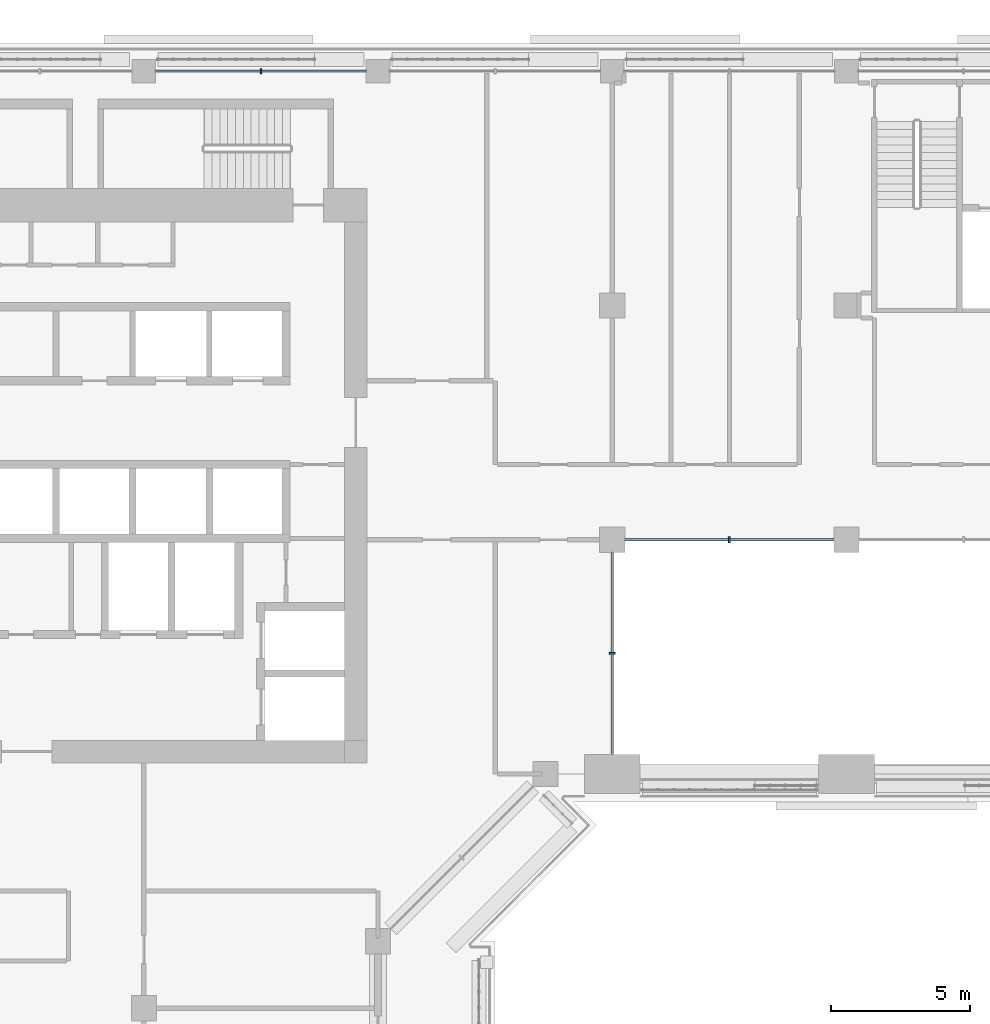
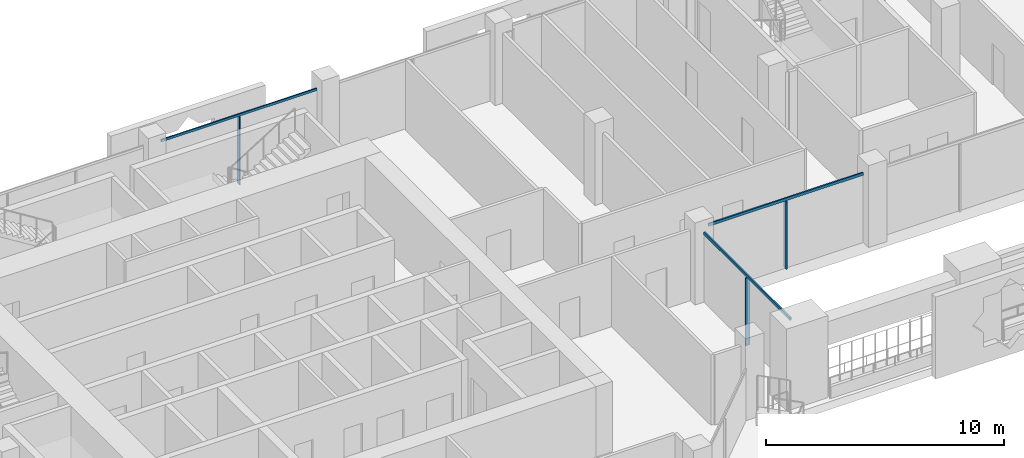
# One storey, part 7 of 23: 6 members, 3 elements without a shape of their own.
"""IFC4 building model written with IfcOpenShell, lengths in metres."""

from ifc_helpers import new_model, si_unit, direction, frame, origin, origin_2d, place, context, subcontext, project, spatial, rectangle, extrude, material, layer, layer_set, material_profile, profile_set, type_object, element, aggregate, save


model = new_model("IFC4")

# Units and contexts
model_context = context("Model", 3, precision=1e-05, world=origin(), true_north=direction((0.0, 1.0)))
body_context = subcontext(model_context, "Body", "Model", "MODEL_VIEW")
ifc_project = project(units=[si_unit("LENGTHUNIT", "METRE"), si_unit("AREAUNIT", "SQUARE_METRE"), si_unit("VOLUMEUNIT", "CUBIC_METRE"), si_unit("PLANEANGLEUNIT", "RADIAN"), si_unit("MASSUNIT", "GRAM", prefix="KILO")], contexts=[model_context])

# Site, building, storey
site_placement = place(None, origin())
site = spatial("IfcSite", under=ifc_project, at=site_placement, CompositionType="ELEMENT")
building_placement = place(site_placement, origin())
building = spatial("IfcBuilding", under=site, at=building_placement, Name="Kawkab Arch Medical Tower", CompositionType="ELEMENT")
storey_placement = place(building_placement, frame((0.0, 0.0, 222.199951171875)))
storey = spatial("IfcBuildingStorey", under=building, at=storey_placement, Name="L51", CompositionType="ELEMENT", Elevation=222.199951171875)

# Curtain wall, members
ifc_material_1 = material(Name="Bronze anodised aluminium curtain wall frame", Category="aluminium")
ifc_layer_1 = layer(ifc_material_1, 0.159912109375)
ifc_layer_set_1 = layer_set([ifc_layer_1], Name="Bronze anodised aluminium curtain wall frame")
curtain_wall_type_1 = type_object("IfcCurtainWallType", Name="CW1 ward curtain wall", PredefinedType="NOTDEFINED", material=ifc_layer_set_1)
placement = place(storey_placement, origin())
curtain_wall_1 = element("IfcCurtainWall", 1, at=placement, inside=storey, type_object=curtain_wall_type_1, Name="CW1 Ward curtain wall R09", PredefinedType="NOTDEFINED")
ifc_material_2 = material(Name="Bronze anodised aluminium curtain wall frame", Category="aluminium")
ifc_material_profile_1 = material_profile(ifc_material_2, rectangle(XDim=0.179931640625, YDim=0.06005859375, at=origin_2d()), Name="AL 60x180")
ifc_profile_set_1 = profile_set([ifc_material_profile_1], Name="Bronze anodised aluminium curtain wall frame")
member_type_1 = type_object("IfcMemberType", Name="CW1 mullion 60 x 180", PredefinedType="MULLION", material=ifc_profile_set_1)
member_1_placement = place(storey_placement, frame((21.0, 0.0, 0.0), z_axis=(0.0, 0.0, 1.0), x_axis=(0.0, -1.0, 0.0)))
member_1 = element("IfcMember", 2, at=member_1_placement, type_object=member_type_1, Name="CW1 mullion 5.1", PredefinedType="MULLION", context=body_context, shape_type="SweptSolid", body=[
    extrude(rectangle(XDim=0.179931640625, YDim=0.06005859375, at=origin_2d()), origin(), (0.0, 0.0, 1.0), 3.47998046875),
])
ifc_material_3 = material(Name="Bronze anodised aluminium curtain wall frame", Category="aluminium")
ifc_material_profile_2 = material_profile(ifc_material_3, rectangle(XDim=0.06005859375, YDim=0.1201171875, at=origin_2d()), Name="AL 60x120")
ifc_profile_set_2 = profile_set([ifc_material_profile_2], Name="Bronze anodised aluminium curtain wall frame")
member_type_2 = type_object("IfcMemberType", Name="CW1 transom 120 x 60", PredefinedType="USERDEFINED", material=ifc_profile_set_2)
member_2_placement = place(storey_placement, frame((24.77490234375, 0.0, 3.5400390625), z_axis=(-1.0, 0.0, 0.0), x_axis=(0.0, -1.0, 0.0)))
member_2 = element("IfcMember", 3, at=member_2_placement, type_object=member_type_2, Name="CW1 transom 5", ObjectType="TRANSOM", PredefinedType="USERDEFINED", context=body_context, shape_type="SweptSolid", body=[
    extrude(rectangle(XDim=0.06005859375, YDim=0.1201171875, at=origin_2d()), origin(), (0.0, 0.0, 1.0), 7.5498046875),
])
aggregate(curtain_wall_1, [member_2, member_1])

# Curtain wall, member
ifc_material_4 = material(Name="Bronze anodised aluminium curtain wall frame", Category="aluminium")
ifc_layer_2 = layer(ifc_material_4, 0.159912109375)
ifc_layer_set_2 = layer_set([ifc_layer_2], Name="Bronze anodised aluminium curtain wall frame")
curtain_wall_type_2 = type_object("IfcCurtainWallType", Name="CW3 sky garden curtain wall", PredefinedType="NOTDEFINED", material=ifc_layer_set_2)
curtain_wall_2 = element("IfcCurtainWall", 4, at=placement, inside=storey, type_object=curtain_wall_type_2, Name="CW3 Sky garden curtain wall R02", PredefinedType="NOTDEFINED")
ifc_material_5 = material(Name="Bronze anodised aluminium curtain wall frame", Category="aluminium")
ifc_material_profile_3 = material_profile(ifc_material_5, rectangle(XDim=0.219970703125, YDim=0.070068359375, at=origin_2d()), Name="AL 70x220")
ifc_profile_set_3 = profile_set([ifc_material_profile_3], Name="Bronze anodised aluminium curtain wall frame")
member_type_3 = type_object("IfcMemberType", Name="CW3 mullion 70 x 220", PredefinedType="MULLION", material=ifc_profile_set_3)
member_3_placement = place(storey_placement, frame((33.60009765625, -20.875, 0.0), z_axis=(0.0, 0.0, 1.0), x_axis=(-1.0, 0.0, 0.0)))
member_3 = element("IfcMember", 5, at=member_3_placement, type_object=member_type_3, Name="CW3 mullion 1.1", PredefinedType="MULLION", context=body_context, shape_type="SweptSolid", body=[
    extrude(rectangle(XDim=0.219970703125, YDim=0.070068359375, at=origin_2d()), origin(), (0.0, 0.0, 1.0), 3.4599609375),
])

curtain_wall_3 = element("IfcCurtainWall", 6, at=placement, inside=storey, type_object=curtain_wall_type_2, Name="CW3 Sky garden curtain wall R03", PredefinedType="NOTDEFINED")
member_4_placement = place(storey_placement, frame((37.800048828125, -16.800048828125, 0.0), z_axis=(0.0, 0.0, 1.0), x_axis=(0.0, 1.0, 0.0)))
member_4 = element("IfcMember", 7, at=member_4_placement, type_object=member_type_3, Name="CW3 mullion 1.1", PredefinedType="MULLION", context=body_context, shape_type="SweptSolid", body=[
    extrude(rectangle(XDim=0.219970703125, YDim=0.070068359375, at=origin_2d()), origin(), (0.0, 0.0, 1.0), 3.4599609375),
])

# Member
ifc_material_6 = material(Name="Bronze anodised aluminium curtain wall frame", Category="aluminium")
ifc_material_profile_4 = material_profile(ifc_material_6, rectangle(XDim=0.070068359375, YDim=0.139892578125, at=origin_2d()), Name="AL 70x140")
ifc_profile_set_4 = profile_set([ifc_material_profile_4], Name="Bronze anodised aluminium curtain wall frame")
member_type_4 = type_object("IfcMemberType", Name="CW3 transom 140 x 70", PredefinedType="USERDEFINED", material=ifc_profile_set_4)
member_5_placement = place(storey_placement, frame((33.60009765625, -24.5, 3.530029296875), z_axis=(0.0, 1.0, 0.0), x_axis=(-1.0, 0.0, 0.0)))
member_5 = element("IfcMember", 8, at=member_5_placement, type_object=member_type_4, Name="CW3 transom 1", ObjectType="TRANSOM", PredefinedType="USERDEFINED", context=body_context, shape_type="SweptSolid", body=[
    extrude(rectangle(XDim=0.070068359375, YDim=0.139892578125, at=origin_2d()), origin(), (0.0, 0.0, 1.0), 7.25),
])

aggregate(curtain_wall_2, [member_5, member_3])

member_6_placement = place(storey_placement, frame((34.050048828125, -16.800048828125, 3.530029296875), z_axis=(1.0, 0.0, 0.0), x_axis=(0.0, 1.0, 0.0)))
member_6 = element("IfcMember", 9, at=member_6_placement, type_object=member_type_4, Name="CW3 transom 1", ObjectType="TRANSOM", PredefinedType="USERDEFINED", context=body_context, shape_type="SweptSolid", body=[
    extrude(rectangle(XDim=0.070068359375, YDim=0.139892578125, at=origin_2d()), origin(), (0.0, 0.0, 1.0), 7.5),
])

aggregate(curtain_wall_3, [member_6, member_4])

save(model, "model.ifc")
